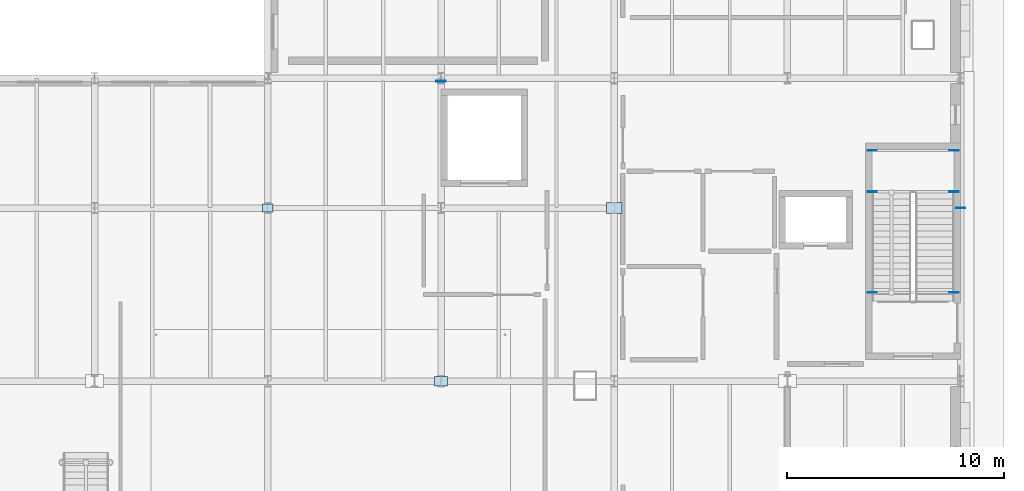
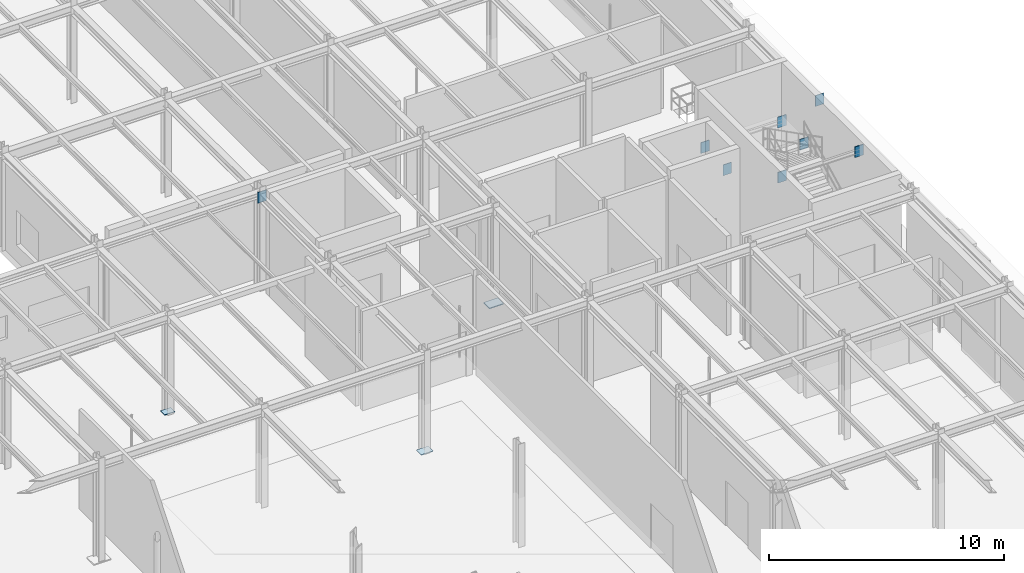
# One storey, part 73 of 129: 11 plates.
"""IFC4 building model written with IfcOpenShell, lengths in metres."""

from ifc_helpers import new_model, si_unit, direction, frame, origin, origin_2d, place, context, subcontext, project, spatial, rectangle, extrude, material, layer, layer_set, type_object, element, save


model = new_model("IFC4")

# Units and contexts
model_context = context("Model", 3, precision=1e-05, world=origin(), true_north=direction((0.0, 1.0)))
body_context = subcontext(model_context, "Body", "Model", "MODEL_VIEW")
ifc_project = project(units=[si_unit("LENGTHUNIT", "METRE"), si_unit("AREAUNIT", "SQUARE_METRE"), si_unit("VOLUMEUNIT", "CUBIC_METRE"), si_unit("PLANEANGLEUNIT", "RADIAN"), si_unit("MASSUNIT", "GRAM", prefix="KILO")], contexts=[model_context])

# Site, building, storey
site_placement = place(None, origin())
site = spatial("IfcSite", under=ifc_project, at=site_placement, CompositionType="ELEMENT")
building_placement = place(site_placement, origin())
building = spatial("IfcBuilding", under=site, at=building_placement, Name="Sundkrona Museum", CompositionType="ELEMENT")
storey_placement = place(building_placement, origin())
storey = spatial("IfcBuildingStorey", under=building, at=storey_placement, Name="L00", CompositionType="ELEMENT", Elevation=0.0)

# Plates
ifc_material = material(Name="Steel S355J2", Category="steel")
ifc_layer_1 = layer(ifc_material, 0.044921875)
ifc_layer_set_1 = layer_set([ifc_layer_1], Name="Steel S355J2")
plate_type_1 = type_object("IfcPlateType", Name="BP-2", PredefinedType="USERDEFINED", material=ifc_layer_set_1)
plate_1_placement = place(storey_placement, frame((152.0, 40.0, 0.0), z_axis=(0.0, 0.0, 1.0), x_axis=(1.0, 0.0, 0.0)))
element("IfcPlate", 1, at=plate_1_placement, inside=storey, type_object=plate_type_1, Name="Column Base Plate F/20", ObjectType="GUSSET PLATE", PredefinedType="USERDEFINED", context=body_context, shape_type="SweptSolid", body=[
    extrude(rectangle(XDim=0.699951171875, YDim=0.5, at=origin_2d()), origin(), (0.0, 0.0, 1.0), 0.044921875),
])
ifc_layer_2 = layer(ifc_material, 0.0380859375)
ifc_layer_set_2 = layer_set([ifc_layer_2], Name="Steel S355J2")
plate_type_2 = type_object("IfcPlateType", Name="BP-3", PredefinedType="USERDEFINED", material=ifc_layer_set_2)
plate_2_placement = place(storey_placement, frame((144.0, 32.0, 0.0), z_axis=(0.0, 0.0, 1.0), x_axis=(1.0, 0.0, 0.0)))
element("IfcPlate", 2, at=plate_2_placement, inside=storey, type_object=plate_type_2, Name="Column Base Plate E/19", ObjectType="GUSSET PLATE", PredefinedType="USERDEFINED", context=body_context, shape_type="SweptSolid", body=[
    extrude(rectangle(XDim=0.580078125, YDim=0.419921875, at=origin_2d()), origin(), (0.0, 0.0, 1.0), 0.0380859375),
])
ifc_layer_3 = layer(ifc_material, 0.031982421875)
ifc_layer_set_3 = layer_set([ifc_layer_3], Name="Steel S355J2")
plate_type_3 = type_object("IfcPlateType", Name="BP-4", PredefinedType="USERDEFINED", material=ifc_layer_set_3)
plate_3_placement = place(storey_placement, frame((136.0, 40.0, 0.0), z_axis=(0.0, 0.0, 1.0), x_axis=(1.0, 0.0, 0.0)))
element("IfcPlate", 3, at=plate_3_placement, inside=storey, type_object=plate_type_3, Name="Column Base Plate F/18", ObjectType="GUSSET PLATE", PredefinedType="USERDEFINED", context=body_context, shape_type="SweptSolid", body=[
    extrude(rectangle(XDim=0.5, YDim=0.360107421875, at=origin_2d()), origin(), (0.0, 0.0, 1.0), 0.031982421875),
])
ifc_layer_4 = layer(ifc_material, 0.034912109375)
ifc_layer_set_4 = layer_set([ifc_layer_4], Name="Steel S355J2")
plate_type_4 = type_object("IfcPlateType", Name="EP-1", PredefinedType="USERDEFINED", material=ifc_layer_set_4)
for number, where, z_axis, x_axis, name in (
    (4, (168.0, 40.0, 4.719970703125), (0.0, 0.0, 1.0), (1.0, 0.0, 0.0), "Core Wall Cast-In Embed Plate BM-L00-Y-0797-2"),
    (5, (163.909912109375, 40.754638671875, 2.099853515625), (0.0, 0.0, 1.0), (1.0, 0.0, 0.0), "Core Wall Cast-In Embed Plate BM-STLD-ST-1-L00-1A-1"),
    (6, (167.68994140625, 40.754638671875, 2.099853515625), (0.0, 0.0, 1.0), (1.0, 0.0, 0.0), "Core Wall Cast-In Embed Plate BM-STLD-ST-1-L00-1A-2"),
    (7, (163.909912109375, 42.660400390625, 2.099853515625), (0.0, 0.0, 1.0), (1.0, 0.0, 0.0), "Core Wall Cast-In Embed Plate BM-STLD-ST-1-L00-1B-1"),
    (8, (167.68994140625, 42.660400390625, 2.099853515625), (0.0, 0.0, 1.0), (1.0, 0.0, 0.0), "Core Wall Cast-In Embed Plate BM-STLD-ST-1-L00-1B-2"),
    (9, (163.909912109375, 36.10009765625, 4.5341796875), (0.0, 0.0, 1.0), (1.0, 0.0, 0.0), "Core Wall Cast-In Embed Plate BM-STHD-ST-1-L00-2-1"),
    (10, (167.68994140625, 36.10009765625, 4.5341796875), (0.0, 0.0, 1.0), (1.0, 0.0, 0.0), "Core Wall Cast-In Embed Plate BM-STHD-ST-1-L00-2-2"),
    (11, (144.0, 45.85009765625, 4.550048828125), (0.0, 0.0, 1.0), (1.0, 0.0, 0.0), "Structural Wall Cast-In Embed Plate BM-L00-Y-0756-2"),
):
    element("IfcPlate", number, at=place(storey_placement, frame(where, z_axis=z_axis, x_axis=x_axis)), inside=storey, type_object=plate_type_4, Name=name, ObjectType="GUSSET PLATE", PredefinedType="USERDEFINED", context=body_context, shape_type="SweptSolid", body=[
        extrude(rectangle(XDim=0.419921875, YDim=0.034912109375, at=origin_2d()), origin(), (0.0, 0.0, 1.0), 0.56005859375),
    ])

save(model, "model.ifc")
